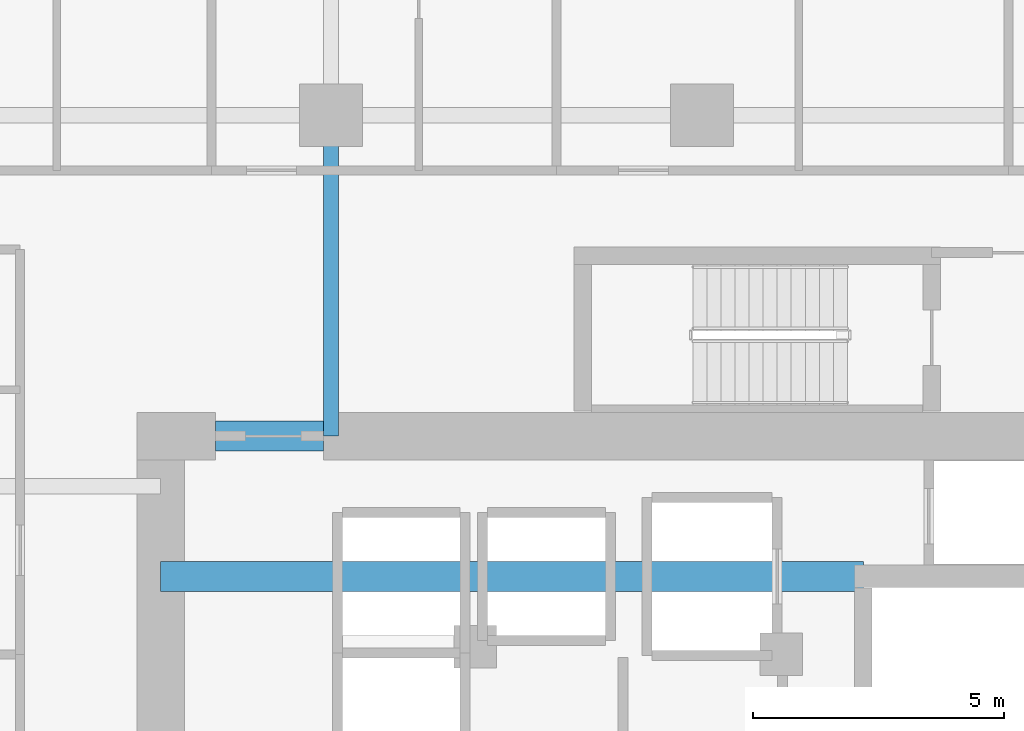
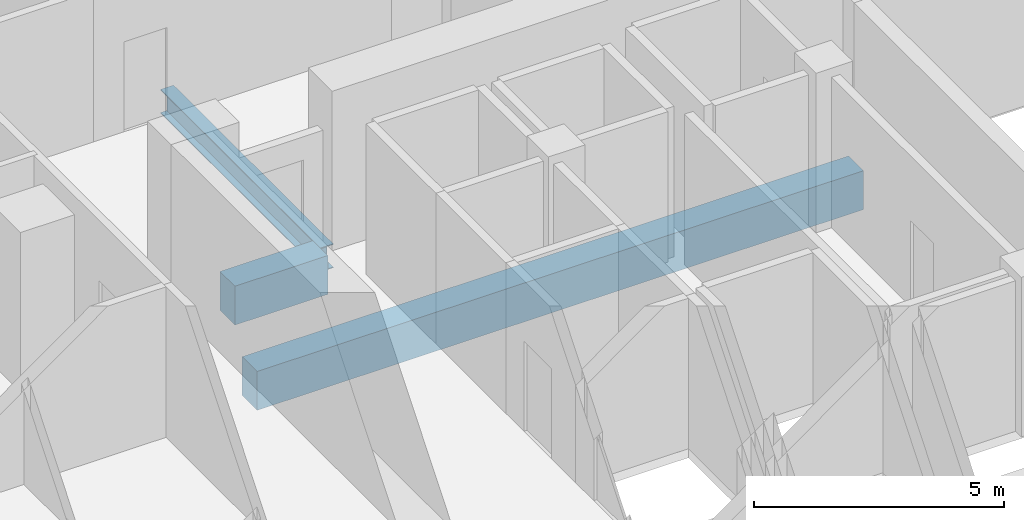
# One storey, part 8 of 32: 3 beams.
"""IFC4 building model written with IfcOpenShell, lengths in metres."""

from ifc_helpers import new_model, si_unit, direction, frame, origin, origin_2d, place, context, subcontext, project, spatial, rectangle, i_section, extrude, material, material_profile, profile_set, type_object, element, save


model = new_model("IFC4")

# Units and contexts
model_context = context("Model", 3, precision=1e-05, world=origin(), true_north=direction((0.0, 1.0)))
body_context = subcontext(model_context, "Body", "Model", "MODEL_VIEW")
ifc_project = project(units=[si_unit("LENGTHUNIT", "METRE"), si_unit("AREAUNIT", "SQUARE_METRE"), si_unit("VOLUMEUNIT", "CUBIC_METRE"), si_unit("PLANEANGLEUNIT", "RADIAN"), si_unit("MASSUNIT", "GRAM", prefix="KILO")], contexts=[model_context])

# Site, building, storey
site_placement = place(None, origin())
site = spatial("IfcSite", under=ifc_project, at=site_placement, CompositionType="ELEMENT")
building_placement = place(site_placement, origin())
building = spatial("IfcBuilding", under=site, at=building_placement, Name="Khorvyn Point Tower", CompositionType="ELEMENT")
storey_placement = place(building_placement, frame((0.0, 0.0, 93.0)))
storey = spatial("IfcBuildingStorey", under=building, at=storey_placement, Name="L23", CompositionType="ELEMENT", Elevation=93.0)

# Beams
ifc_material_1 = material(Name="Concrete C50/60", Category="concrete")
ifc_material_profile_1 = material_profile(ifc_material_1, rectangle(XDim=0.60009765625, YDim=0.949951171875, at=origin_2d()))
ifc_profile_set_1 = profile_set([ifc_material_profile_1], Name="Concrete C50/60 RC600x950")
beam_type_1 = type_object("IfcBeamType", Name="Concrete C50/60 Beam RC600x950", PredefinedType="BEAM", material=ifc_profile_set_1)
beam_1_placement = place(storey_placement, frame((-10.800048828125, 5.60009765625, -0.695068359375), z_axis=(1.0, 0.0, 0.0), x_axis=(0.0, 1.0, 0.0)))
element("IfcBeam", 1, at=beam_1_placement, inside=storey, type_object=beam_type_1, Name="L23 Core Internal Tie Girder N", PredefinedType="BEAM", context=body_context, shape_type="SweptSolid", body=[
    extrude(rectangle(XDim=0.60009765625, YDim=0.949951171875, at=origin_2d()), origin(), (0.0, 0.0, 1.0), 14.02001953125),
])
beam_2_placement = place(storey_placement, frame((-9.699951171875, 8.39990234375, -0.695068359375), z_axis=(1.0, 0.0, 0.0), x_axis=(0.0, 1.0, 0.0)))
element("IfcBeam", 2, at=beam_2_placement, inside=storey, type_object=beam_type_1, Name="L23 Core Northwest Portal Coupling Beam", PredefinedType="BEAM", context=body_context, shape_type="SweptSolid", body=[
    extrude(rectangle(XDim=0.60009765625, YDim=0.949951171875, at=origin_2d()), origin(), (0.0, 0.0, 1.0), 2.14990234375),
])
ifc_material_2 = material(Name="Steel S355", Category="steel")
ifc_material_profile_2 = material_profile(ifc_material_2, i_section(OverallWidth=0.300048828125, OverallDepth=0.587890625, WebThickness=0.011962890625, FlangeThickness=0.02001953125, at=origin_2d()))
ifc_profile_set_2 = profile_set([ifc_material_profile_2], Name="Steel S355 H588x300x12x20")
beam_type_2 = type_object("IfcBeamType", Name="Steel S355 Beam H588x300x12x20", PredefinedType="BEAM", material=ifc_profile_set_2)
beam_3_placement = place(storey_placement, frame((-7.39990234375, 8.39990234375, -0.513916015625), z_axis=(0.0, 1.0, 0.0), x_axis=(-1.0, 0.0, 0.0)))
element("IfcBeam", 3, at=beam_3_placement, inside=storey, type_object=beam_type_2, Name="Beam", PredefinedType="BEAM", context=body_context, shape_type="SweptSolid", body=[
    extrude(i_section(OverallWidth=0.300048828125, OverallDepth=0.587890625, WebThickness=0.011962890625, FlangeThickness=0.02001953125, at=origin_2d()), origin(), (0.0, 0.0, 1.0), 6.400146484375),
])

save(model, "model.ifc")
